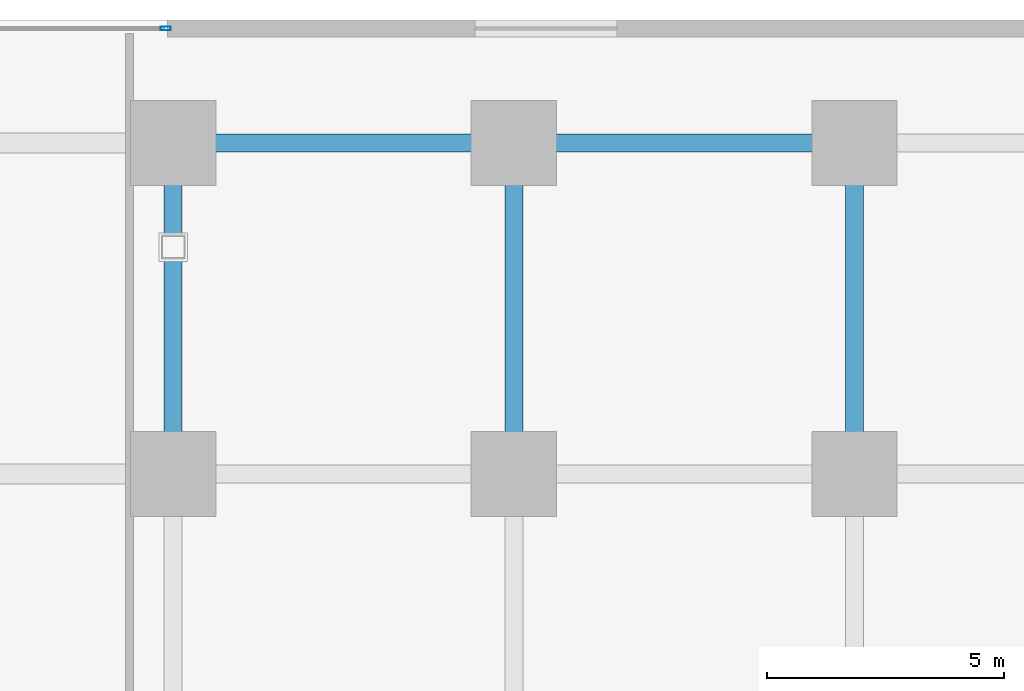
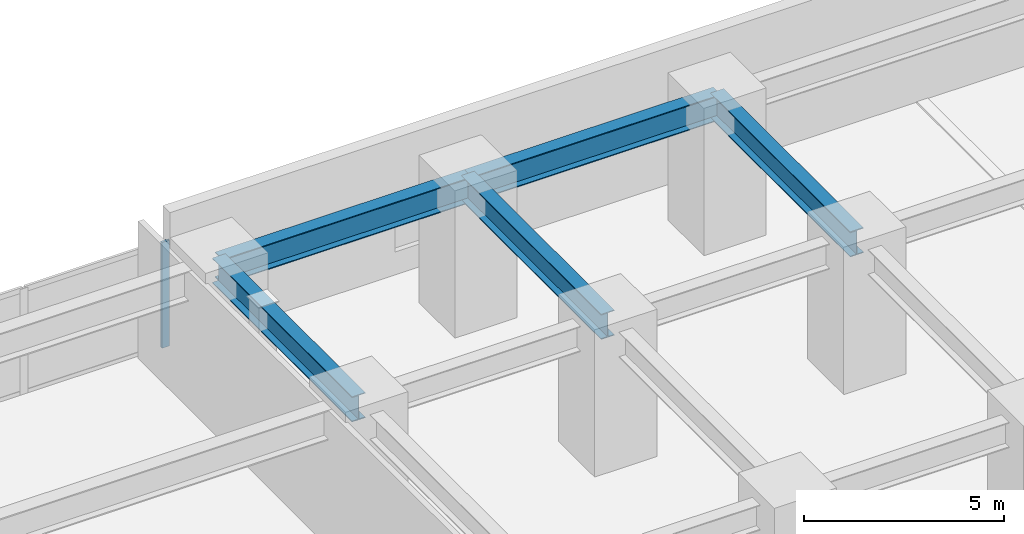
# One storey, part 11 of 26: 5 beams, 1 member, 1 element without a shape of its own.
"""IFC4 building model written with IfcOpenShell, lengths in metres."""

from ifc_helpers import new_model, si_unit, direction, frame, origin, origin_2d, place, context, subcontext, project, spatial, hollow_rectangle, i_section, extrude, material, layer, layer_set, material_profile, profile_set, type_object, element, aggregate, save


model = new_model("IFC4")

# Units and contexts
model_context = context("Model", 3, precision=1e-05, world=origin(), true_north=direction((0.0, 1.0)))
body_context = subcontext(model_context, "Body", "Model", "MODEL_VIEW")
ifc_project = project(units=[si_unit("LENGTHUNIT", "METRE"), si_unit("AREAUNIT", "SQUARE_METRE"), si_unit("VOLUMEUNIT", "CUBIC_METRE"), si_unit("PLANEANGLEUNIT", "RADIAN"), si_unit("MASSUNIT", "GRAM", prefix="KILO")], contexts=[model_context])

# Site, building, storey
site_placement = place(None, origin())
site = spatial("IfcSite", under=ifc_project, at=site_placement, CompositionType="ELEMENT")
building_placement = place(site_placement, origin())
building = spatial("IfcBuilding", under=site, at=building_placement, Name="Kiyonajd Concourse Tower", CompositionType="ELEMENT")
storey_placement = place(building_placement, origin())
storey = spatial("IfcBuildingStorey", under=building, at=storey_placement, Name="L01", CompositionType="ELEMENT", Elevation=0.0)

# Beams
ifc_material_1 = material(Name="Steel ASTM A992 Grade 50", Category="steel")
ifc_material_profile_1 = material_profile(ifc_material_1, i_section(OverallWidth=0.381103515625, OverallDepth=0.77294921875, WebThickness=0.0166015625, FlangeThickness=0.027099609375, at=origin_2d()), Name="W760X257")
ifc_profile_set_1 = profile_set([ifc_material_profile_1], Name="Steel ASTM A992 Grade 50")
beam_type = type_object("IfcBeamType", Name="BM-POD-760", PredefinedType="BEAM", material=ifc_profile_set_1)
beam_1_placement = place(storey_placement, frame((56.39990234375, 69.39990234375, 3.79345703125), z_axis=(1.0, 0.0, 0.0), x_axis=(0.0, 1.0, 0.0)))
element("IfcBeam", 1, at=beam_1_placement, inside=storey, type_object=beam_type, Name="L01 Podium Primary Beam", PredefinedType="BEAM", context=body_context, shape_type="SweptSolid", body=[
    extrude(i_section(OverallWidth=0.381103515625, OverallDepth=0.77294921875, WebThickness=0.0166015625, FlangeThickness=0.027099609375, at=origin_2d()), origin(), (0.0, 0.0, 1.0), 7.2001953125),
])
beam_2_placement = place(storey_placement, frame((63.60009765625, 69.39990234375, 3.79345703125), z_axis=(1.0, 0.0, 0.0), x_axis=(0.0, 1.0, 0.0)))
element("IfcBeam", 2, at=beam_2_placement, inside=storey, type_object=beam_type, Name="L01 Podium Primary Beam", PredefinedType="BEAM", context=body_context, shape_type="SweptSolid", body=[
    extrude(i_section(OverallWidth=0.381103515625, OverallDepth=0.77294921875, WebThickness=0.0166015625, FlangeThickness=0.027099609375, at=origin_2d()), origin(), (0.0, 0.0, 1.0), 7.199951171875),
])
for number, where, z_axis, x_axis, name in (
    (3, (56.39990234375, 62.39990234375, 3.79345703125), (0.0, 1.0, 0.0), (-1.0, 0.0, 0.0), "L01 Podium North South Beam"),
    (4, (63.60009765625, 62.39990234375, 3.79345703125), (0.0, 1.0, 0.0), (-1.0, 0.0, 0.0), "L01 Podium North South Beam"),
    (5, (70.800048828125, 62.39990234375, 3.79345703125), (0.0, 1.0, 0.0), (-1.0, 0.0, 0.0), "L01 Podium North South Beam"),
):
    element("IfcBeam", number, at=place(storey_placement, frame(where, z_axis=z_axis, x_axis=x_axis)), inside=storey, type_object=beam_type, Name=name, PredefinedType="BEAM", context=body_context, shape_type="SweptSolid", body=[
        extrude(i_section(OverallWidth=0.381103515625, OverallDepth=0.77294921875, WebThickness=0.0166015625, FlangeThickness=0.027099609375, at=origin_2d()), origin(), (0.0, 0.0, 1.0), 7.0),
    ])

# Curtain wall, member
ifc_material_2 = material(Name="Thermally Broken Anodised Aluminium", Category="aluminium")
ifc_layer = layer(ifc_material_2, 0.179931640625)
ifc_layer_set = layer_set([ifc_layer], Name="Thermally Broken Anodised Aluminium")
curtain_wall_type = type_object("IfcCurtainWallType", Name="CW-SYS-01", PredefinedType="NOTDEFINED", material=ifc_layer_set)
curtain_wall_placement = place(storey_placement, origin())
curtain_wall = element("IfcCurtainWall", 6, at=curtain_wall_placement, inside=storey, type_object=curtain_wall_type, Name="L01 Unitised Curtain Wall CW1", PredefinedType="NOTDEFINED")
ifc_material_profile_2 = material_profile(ifc_material_2, hollow_rectangle(XDim=0.074951171875, YDim=0.219970703125, WallThickness=0.0048828125, at=origin_2d()), Name="MULL-75x220")
ifc_profile_set_2 = profile_set([ifc_material_profile_2], Name="Thermally Broken Anodised Aluminium")
member_type = type_object("IfcMemberType", Name="MB-CW-MULL2", PredefinedType="MULLION", material=ifc_profile_set_2)
member_placement = place(storey_placement, frame((56.242431640625, 71.820068359375, 0.0), z_axis=(0.0, 0.0, 1.0), x_axis=(0.0, 1.0, 0.0)))
member = element("IfcMember", 7, at=member_placement, type_object=member_type, Name="CW1 mullion 5", PredefinedType="MULLION", context=body_context, shape_type="SweptSolid", body=[
    extrude(hollow_rectangle(XDim=0.074951171875, YDim=0.219970703125, WallThickness=0.0048828125, at=origin_2d()), origin(), (0.0, 0.0, 1.0), 3.22998046875),
])
aggregate(curtain_wall, [member])

save(model, "model.ifc")
